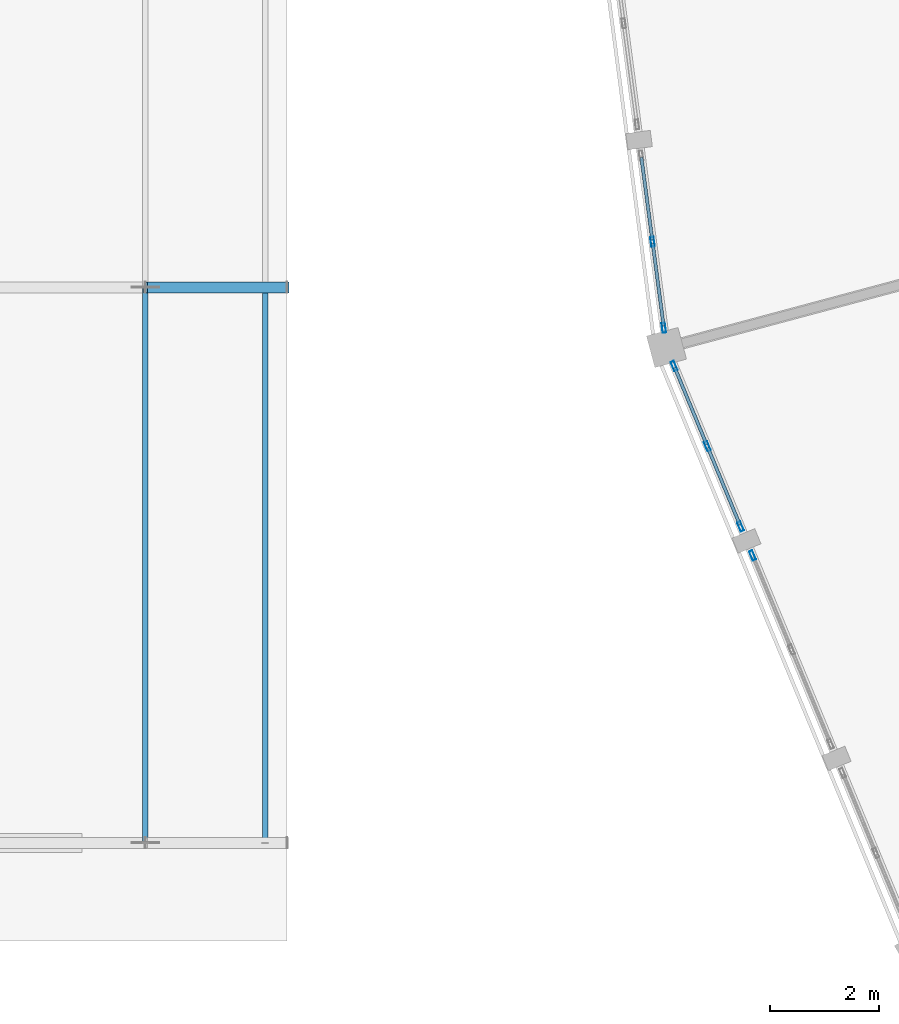
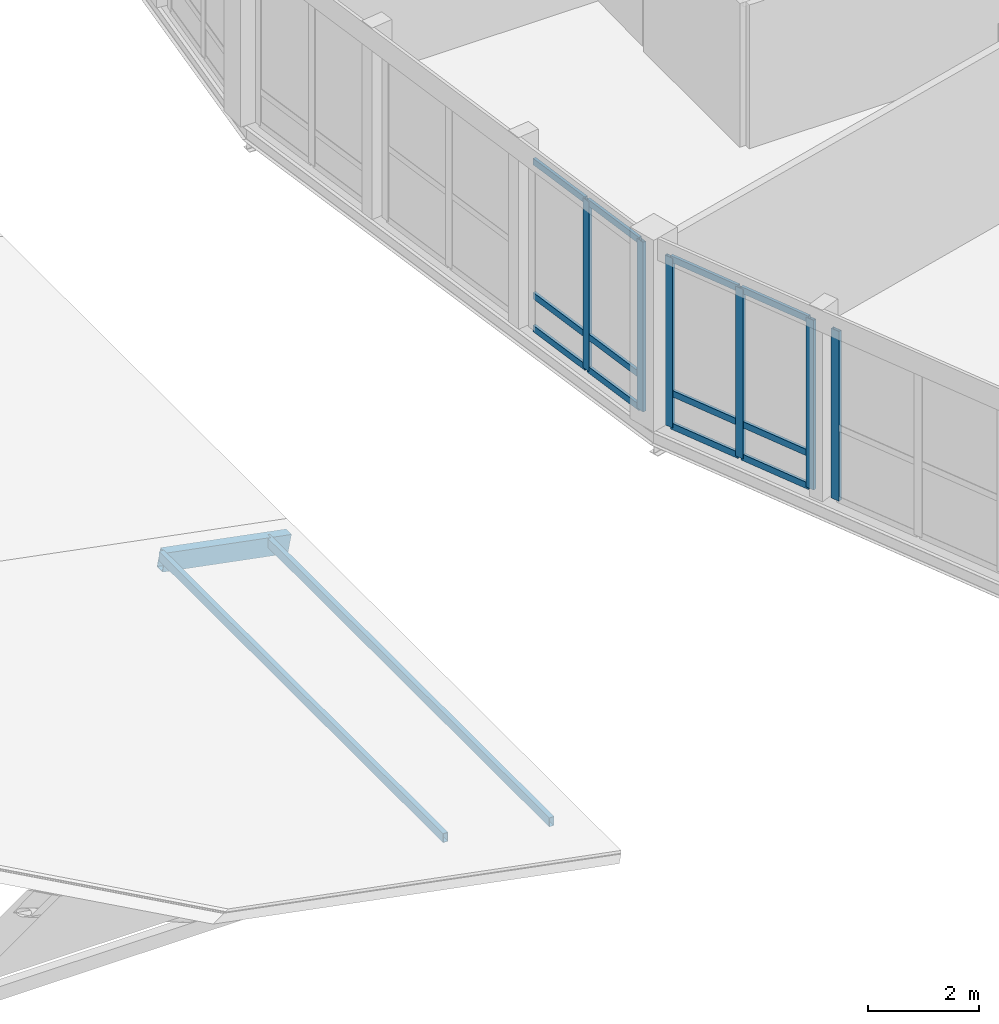
# One storey, part 32 of 200: 21 members, 3 elements without a shape of their own.
"""IFC4 building model written with IfcOpenShell, lengths in metres."""

from ifc_helpers import new_model, si_unit, direction, frame, origin, origin_2d, place, context, subcontext, project, spatial, hollow_rectangle, extrude, material, material_profile, profile_set, type_object, element, aggregate, save


model = new_model("IFC4")

# Units and contexts
model_context = context("Model", 3, precision=1e-05, world=origin(), true_north=direction((0.0, 1.0)))
body_context = subcontext(model_context, "Body", "Model", "MODEL_VIEW")
ifc_project = project(units=[si_unit("LENGTHUNIT", "METRE"), si_unit("AREAUNIT", "SQUARE_METRE"), si_unit("VOLUMEUNIT", "CUBIC_METRE"), si_unit("PLANEANGLEUNIT", "RADIAN"), si_unit("MASSUNIT", "GRAM", prefix="KILO")], contexts=[model_context])

# Site, building, storey
site_placement = place(None, origin())
site = spatial("IfcSite", under=ifc_project, at=site_placement, CompositionType="ELEMENT")
building_placement = place(site_placement, origin())
building = spatial("IfcBuilding", under=site, at=building_placement, Name="Vondelvale Polytechnic", CompositionType="ELEMENT")
storey_placement = place(building_placement, frame((0.0, 0.0, 13.800048828125)))
storey = spatial("IfcBuildingStorey", under=building, at=storey_placement, Name="L03", CompositionType="ELEMENT", Elevation=13.800048828125)

# Curtain wall, members
ifc_material_1 = material(Name="Glulam GL18 structural Tasmanian oak (fb = 42 MPa)", Category="wood")
curtain_wall_type = type_object("IfcCurtainWallType", Name="CW-RING-OUTER", PredefinedType="NOTDEFINED", material=ifc_material_1)
curtain_wall_1_placement = place(storey_placement, origin())
curtain_wall_1 = element("IfcCurtainWall", 1, at=curtain_wall_1_placement, inside=storey, type_object=curtain_wall_type, Name="L03 architectural curtain wall CW-04-270", PredefinedType="NOTDEFINED")
ifc_material_2 = material(Name="Anodised extruded aluminium 6063-T6", Category="aluminium")
ifc_material_profile_1 = material_profile(ifc_material_2, hollow_rectangle(XDim=0.06494140625, YDim=0.179931640625, WallThickness=0.00390625, at=origin_2d()), Name="CW-MUL-180x65")
ifc_profile_set_1 = profile_set([ifc_material_profile_1], Name="Anodised extruded aluminium 6063-T6")
member_type_1 = type_object("IfcMemberType", Name="CW-MUL-65x180", PredefinedType="MULLION", material=ifc_profile_set_1)
member_1_placement = place(storey_placement, frame((57.3115234375, 62.037841796875, 0.0), z_axis=(0.0, 0.0, 1.0), x_axis=(0.991443102996, 0.130539547729, 0.0)))
member_1 = element("IfcMember", 2, at=member_1_placement, type_object=member_type_1, Name="CW-04-270 mullion 2", PredefinedType="MULLION", context=body_context, shape_type="SweptSolid", body=[
    extrude(hollow_rectangle(XDim=0.06494140625, YDim=0.179931640625, WallThickness=0.00390625, at=origin_2d()), origin(), (0.0, 0.0, 1.0), 3.719970703125),
])
member_2_placement = place(storey_placement, frame((57.519775390625, 60.45654296875, 0.0), z_axis=(0.0, 0.0, 1.0), x_axis=(0.991443102996, 0.130539547729, 0.0)))
member_2 = element("IfcMember", 3, at=member_2_placement, type_object=member_type_1, Name="CW-04-270 mullion 3", PredefinedType="MULLION", context=body_context, shape_type="SweptSolid", body=[
    extrude(hollow_rectangle(XDim=0.06494140625, YDim=0.179931640625, WallThickness=0.00390625, at=origin_2d()), origin(), (0.0, 0.0, 1.0), 3.719970703125),
])

curtain_wall_2_placement = place(storey_placement, origin())
curtain_wall_2 = element("IfcCurtainWall", 4, at=curtain_wall_2_placement, inside=storey, type_object=curtain_wall_type, Name="L03 architectural curtain wall CW-04-288", PredefinedType="NOTDEFINED")
member_3_placement = place(storey_placement, frame((57.70703125, 59.7568359375, 0.0), z_axis=(0.0, 0.0, 1.0), x_axis=(0.923882033442, 0.382677394529, 0.0)))
member_3 = element("IfcMember", 5, at=member_3_placement, type_object=member_type_1, Name="CW-04-288 mullion 1", PredefinedType="MULLION", context=body_context, shape_type="SweptSolid", body=[
    extrude(hollow_rectangle(XDim=0.06494140625, YDim=0.179931640625, WallThickness=0.00390625, at=origin_2d()), origin(), (0.0, 0.0, 1.0), 3.719970703125),
])
member_4_placement = place(storey_placement, frame((58.3173828125, 58.283203125, 0.0), z_axis=(0.0, 0.0, 1.0), x_axis=(0.923882033442, 0.382677394529, 0.0)))
member_4 = element("IfcMember", 6, at=member_4_placement, type_object=member_type_1, Name="CW-04-288 mullion 2", PredefinedType="MULLION", context=body_context, shape_type="SweptSolid", body=[
    extrude(hollow_rectangle(XDim=0.06494140625, YDim=0.179931640625, WallThickness=0.00390625, at=origin_2d()), origin(), (0.0, 0.0, 1.0), 3.719970703125),
])
member_5_placement = place(storey_placement, frame((58.927978515625, 56.809814453125, 0.0), z_axis=(0.0, 0.0, 1.0), x_axis=(0.923882033442, 0.382677394529, 0.0)))
member_5 = element("IfcMember", 7, at=member_5_placement, type_object=member_type_1, Name="CW-04-288 mullion 3", PredefinedType="MULLION", context=body_context, shape_type="SweptSolid", body=[
    extrude(hollow_rectangle(XDim=0.06494140625, YDim=0.179931640625, WallThickness=0.00390625, at=origin_2d()), origin(), (0.0, 0.0, 1.0), 3.719970703125),
])

# Curtain wall, member
curtain_wall_3_placement = place(storey_placement, origin())
curtain_wall_3 = element("IfcCurtainWall", 8, at=curtain_wall_3_placement, inside=storey, type_object=curtain_wall_type, Name="L03 architectural curtain wall CW-04-289", PredefinedType="NOTDEFINED")
member_6_placement = place(storey_placement, frame((59.14794921875, 56.278564453125, 0.0), z_axis=(0.0, 0.0, 1.0), x_axis=(0.92387490701, 0.382694599123, 0.0)))
member_6 = element("IfcMember", 9, at=member_6_placement, type_object=member_type_1, Name="CW-04-289 mullion 1", PredefinedType="MULLION", context=body_context, shape_type="SweptSolid", body=[
    extrude(hollow_rectangle(XDim=0.06494140625, YDim=0.179931640625, WallThickness=0.00390625, at=origin_2d()), origin(), (0.0, 0.0, 1.0), 3.719970703125),
])
aggregate(curtain_wall_3, [member_6])

# Member
ifc_material_profile_2 = material_profile(ifc_material_2, hollow_rectangle(XDim=0.06005859375, YDim=0.139892578125, WallThickness=0.00341796875, at=origin_2d()), Name="CW-TRN-140x60")
ifc_profile_set_2 = profile_set([ifc_material_profile_2], Name="Anodised extruded aluminium 6063-T6")
member_type_2 = type_object("IfcMemberType", Name="CW-TRN-60x140", PredefinedType="USERDEFINED", material=ifc_profile_set_2)
member_7_placement = place(storey_placement, frame((57.107666015625, 63.5869140625, 0.030029296875), z_axis=(0.130532942165, -0.991443972703, 0.0), x_axis=(0.991443972703, 0.130532942165, 0.0)))
member_7 = element("IfcMember", 10, at=member_7_placement, type_object=member_type_2, Name="CW-04-270 transom 1.1", ObjectType="TRANSOM", PredefinedType="USERDEFINED", context=body_context, shape_type="SweptSolid", body=[
    extrude(hollow_rectangle(XDim=0.06005859375, YDim=0.139892578125, WallThickness=0.00341796875, at=origin_2d()), origin(), (0.0, 0.0, 1.0), 1.530029296875),
])

member_8_placement = place(storey_placement, frame((57.107666015625, 63.5869140625, 0.75), z_axis=(0.130532942165, -0.991443972703, 0.0), x_axis=(0.991443972703, 0.130532942165, 0.0)))
member_8 = element("IfcMember", 11, at=member_8_placement, type_object=member_type_2, Name="CW-04-270 transom 1.2", ObjectType="TRANSOM", PredefinedType="USERDEFINED", context=body_context, shape_type="SweptSolid", body=[
    extrude(hollow_rectangle(XDim=0.06005859375, YDim=0.139892578125, WallThickness=0.00341796875, at=origin_2d()), origin(), (0.0, 0.0, 1.0), 1.530029296875),
])

member_9_placement = place(storey_placement, frame((57.107666015625, 63.5869140625, 3.68994140625), z_axis=(0.130532942165, -0.991443972703, 0.0), x_axis=(0.991443972703, 0.130532942165, 0.0)))
member_9 = element("IfcMember", 12, at=member_9_placement, type_object=member_type_2, Name="CW-04-270 transom 1.3", ObjectType="TRANSOM", PredefinedType="USERDEFINED", context=body_context, shape_type="SweptSolid", body=[
    extrude(hollow_rectangle(XDim=0.06005859375, YDim=0.139892578125, WallThickness=0.00341796875, at=origin_2d()), origin(), (0.0, 0.0, 1.0), 1.530029296875),
])

member_10_placement = place(storey_placement, frame((57.315673828125, 62.005615234375, 0.030029296875), z_axis=(0.13066912162, -0.99142603388, 0.0), x_axis=(0.99142603388, 0.13066912162, 0.0)))
member_10 = element("IfcMember", 13, at=member_10_placement, type_object=member_type_2, Name="CW-04-270 transom 2.1", ObjectType="TRANSOM", PredefinedType="USERDEFINED", context=body_context, shape_type="SweptSolid", body=[
    extrude(hollow_rectangle(XDim=0.06005859375, YDim=0.139892578125, WallThickness=0.00341796875, at=origin_2d()), origin(), (0.0, 0.0, 1.0), 1.5302734375),
])

member_11_placement = place(storey_placement, frame((57.315673828125, 62.005615234375, 0.75), z_axis=(0.13066912162, -0.99142603388, 0.0), x_axis=(0.99142603388, 0.13066912162, 0.0)))
member_11 = element("IfcMember", 14, at=member_11_placement, type_object=member_type_2, Name="CW-04-270 transom 2.2", ObjectType="TRANSOM", PredefinedType="USERDEFINED", context=body_context, shape_type="SweptSolid", body=[
    extrude(hollow_rectangle(XDim=0.06005859375, YDim=0.139892578125, WallThickness=0.00341796875, at=origin_2d()), origin(), (0.0, 0.0, 1.0), 1.5302734375),
])

member_12_placement = place(storey_placement, frame((57.315673828125, 62.005615234375, 3.68994140625), z_axis=(0.13066912162, -0.99142603388, 0.0), x_axis=(0.99142603388, 0.13066912162, 0.0)))
member_12 = element("IfcMember", 15, at=member_12_placement, type_object=member_type_2, Name="CW-04-270 transom 2.3", ObjectType="TRANSOM", PredefinedType="USERDEFINED", context=body_context, shape_type="SweptSolid", body=[
    extrude(hollow_rectangle(XDim=0.06005859375, YDim=0.139892578125, WallThickness=0.00341796875, at=origin_2d()), origin(), (0.0, 0.0, 1.0), 1.5302734375),
])

aggregate(curtain_wall_1, [member_1, member_2, member_7, member_8, member_9, member_10, member_11, member_12])

member_13_placement = place(storey_placement, frame((57.719482421875, 59.726806640625, 0.030029296875), z_axis=(0.382779237206, -0.923839843027, 0.0), x_axis=(0.923839843027, 0.382779237206, 0.0)))
member_13 = element("IfcMember", 16, at=member_13_placement, type_object=member_type_2, Name="CW-04-288 transom 1.1", ObjectType="TRANSOM", PredefinedType="USERDEFINED", context=body_context, shape_type="SweptSolid", body=[
    extrude(hollow_rectangle(XDim=0.06005859375, YDim=0.139892578125, WallThickness=0.00341796875, at=origin_2d()), origin(), (0.0, 0.0, 1.0), 1.530029296875),
])

member_14_placement = place(storey_placement, frame((57.719482421875, 59.726806640625, 0.75), z_axis=(0.382779237206, -0.923839843027, 0.0), x_axis=(0.923839843027, 0.382779237206, 0.0)))
member_14 = element("IfcMember", 17, at=member_14_placement, type_object=member_type_2, Name="CW-04-288 transom 1.2", ObjectType="TRANSOM", PredefinedType="USERDEFINED", context=body_context, shape_type="SweptSolid", body=[
    extrude(hollow_rectangle(XDim=0.06005859375, YDim=0.139892578125, WallThickness=0.00341796875, at=origin_2d()), origin(), (0.0, 0.0, 1.0), 1.530029296875),
])

member_15_placement = place(storey_placement, frame((57.719482421875, 59.726806640625, 3.68994140625), z_axis=(0.382779237206, -0.923839843027, 0.0), x_axis=(0.923839843027, 0.382779237206, 0.0)))
member_15 = element("IfcMember", 18, at=member_15_placement, type_object=member_type_2, Name="CW-04-288 transom 1.3", ObjectType="TRANSOM", PredefinedType="USERDEFINED", context=body_context, shape_type="SweptSolid", body=[
    extrude(hollow_rectangle(XDim=0.06005859375, YDim=0.139892578125, WallThickness=0.00341796875, at=origin_2d()), origin(), (0.0, 0.0, 1.0), 1.530029296875),
])

member_16_placement = place(storey_placement, frame((58.329833984375, 58.253173828125, 0.030029296875), z_axis=(0.382835668721, -0.923816459452, 0.0), x_axis=(0.923816459452, 0.382835668721, 0.0)))
member_16 = element("IfcMember", 19, at=member_16_placement, type_object=member_type_2, Name="CW-04-288 transom 2.1", ObjectType="TRANSOM", PredefinedType="USERDEFINED", context=body_context, shape_type="SweptSolid", body=[
    extrude(hollow_rectangle(XDim=0.06005859375, YDim=0.139892578125, WallThickness=0.00341796875, at=origin_2d()), origin(), (0.0, 0.0, 1.0), 1.52978515625),
])

member_17_placement = place(storey_placement, frame((58.329833984375, 58.253173828125, 0.75), z_axis=(0.382835668721, -0.923816459452, 0.0), x_axis=(0.923816459452, 0.382835668721, 0.0)))
member_17 = element("IfcMember", 20, at=member_17_placement, type_object=member_type_2, Name="CW-04-288 transom 2.2", ObjectType="TRANSOM", PredefinedType="USERDEFINED", context=body_context, shape_type="SweptSolid", body=[
    extrude(hollow_rectangle(XDim=0.06005859375, YDim=0.139892578125, WallThickness=0.00341796875, at=origin_2d()), origin(), (0.0, 0.0, 1.0), 1.52978515625),
])

member_18_placement = place(storey_placement, frame((58.329833984375, 58.253173828125, 3.68994140625), z_axis=(0.382835668721, -0.923816459452, 0.0), x_axis=(0.923816459452, 0.382835668721, 0.0)))
member_18 = element("IfcMember", 21, at=member_18_placement, type_object=member_type_2, Name="CW-04-288 transom 2.3", ObjectType="TRANSOM", PredefinedType="USERDEFINED", context=body_context, shape_type="SweptSolid", body=[
    extrude(hollow_rectangle(XDim=0.06005859375, YDim=0.139892578125, WallThickness=0.00341796875, at=origin_2d()), origin(), (0.0, 0.0, 1.0), 1.52978515625),
])

aggregate(curtain_wall_2, [member_3, member_4, member_5, member_13, member_14, member_15, member_16, member_17, member_18])

# Members
ifc_material_3 = material(Name="Steel C350L0 (fy = 350 MPa)", Category="steel")
ifc_material_profile_3 = material_profile(ifc_material_3, hollow_rectangle(XDim=0.10009765625, YDim=0.199951171875, WallThickness=0.006103515625, at=origin_2d()), Name="200x100x6.0RHS")
ifc_profile_set_3 = profile_set([ifc_material_profile_3], Name="Steel C350L0 (fy = 350 MPa)")
member_type_3 = type_object("IfcMemberType", Name="PURLIN RHS200", PredefinedType="PURLIN", material=ifc_profile_set_3)
for number, where, z_axis, x_axis, name in (
    (22, (48.0, 51.0, -0.31884765625), (0.0, 1.0, 0.0), (-1.0, 0.0, 0.0), "Workshop roof purlin bay 1"),
    (23, (50.199951171875, 51.0, -0.74267578125), (0.0, 1.0, 0.0), (-1.0, 0.0, 0.0), "Workshop roof purlin bay 1"),
):
    element("IfcMember", number, at=place(storey_placement, frame(where, z_axis=z_axis, x_axis=x_axis)), inside=storey, type_object=member_type_3, Name=name, PredefinedType="PURLIN", context=body_context, shape_type="SweptSolid", body=[
        extrude(hollow_rectangle(XDim=0.10009765625, YDim=0.199951171875, WallThickness=0.006103515625, at=origin_2d()), origin(), (0.0, 0.0, 1.0), 10.199951171875),
    ])
ifc_material_profile_4 = material_profile(ifc_material_3, hollow_rectangle(XDim=0.199951171875, YDim=0.39990234375, WallThickness=0.010009765625, at=origin_2d()), Name="400x200x10.0RHS")
ifc_profile_set_4 = profile_set([ifc_material_profile_4], Name="Steel C350L0 (fy = 350 MPa)")
member_type_4 = type_object("IfcMemberType", Name="ROOF TRUSS TOP CHORD 400RHS", PredefinedType="CHORD", material=ifc_profile_set_4)
member_19_placement = place(storey_placement, frame((48.0, 61.199951171875, -0.420166015625), z_axis=(0.981939305936, 0.0, -0.189196193031), x_axis=(0.0, 1.0, 0.0)))
element("IfcMember", 24, at=member_19_placement, inside=storey, type_object=member_type_4, Name="ROOF TRUSS TR-02 top chord 6", PredefinedType="CHORD", context=body_context, shape_type="SweptSolid", body=[
    extrude(hollow_rectangle(XDim=0.199951171875, YDim=0.39990234375, WallThickness=0.010009765625, at=origin_2d()), origin(), (0.0, 0.0, 1.0), 2.64794921875),
])

save(model, "model.ifc")
